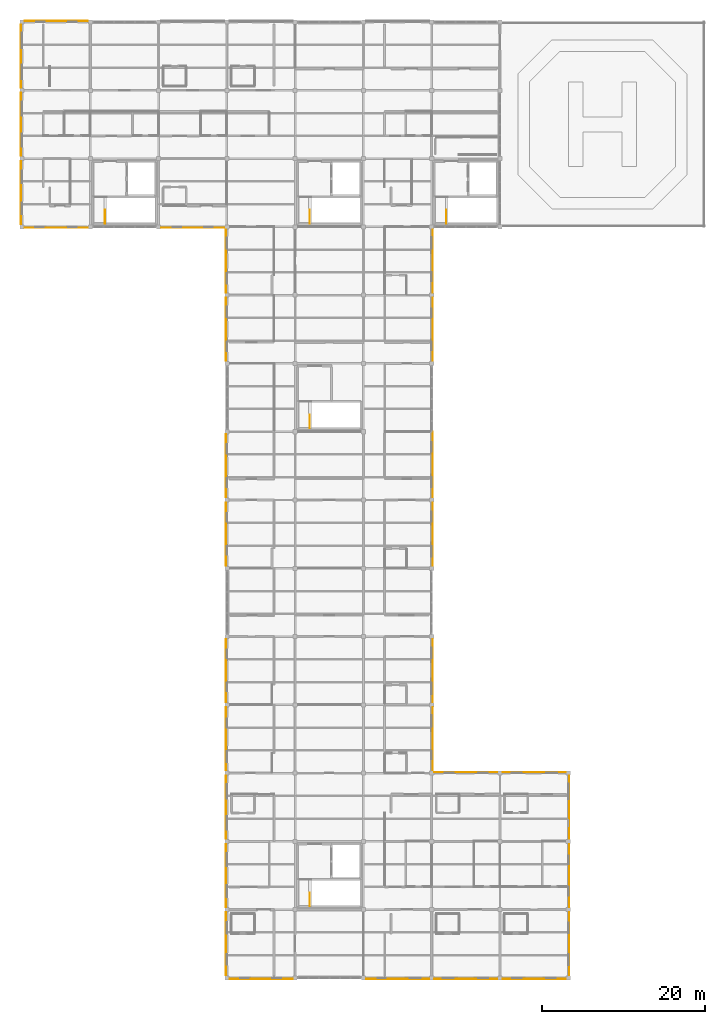
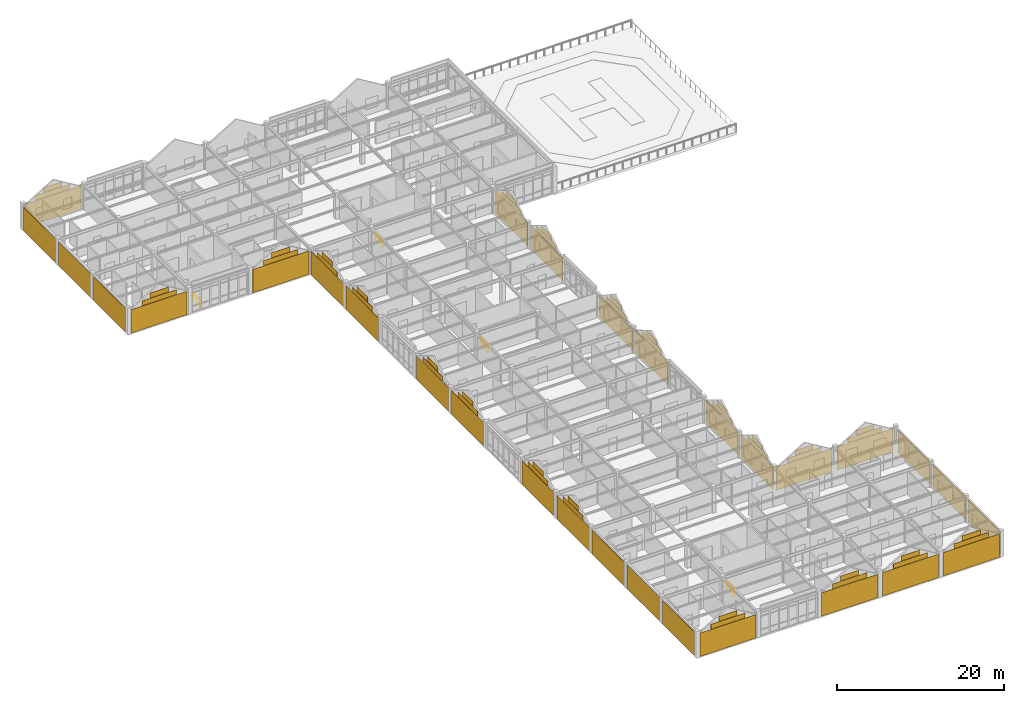
# One storey, part 44 of 45: 72 coverings, 5 railings.
"""IFC4 building model written with IfcOpenShell, lengths in metres."""

from ifc_helpers import new_model, si_unit, direction, frame, origin, origin_2d, place, context, subcontext, project, spatial, rectangle, circle, extrude, material, layer, layer_set, type_object, element, save


model = new_model("IFC4")

# Units and contexts
model_context = context("Model", 3, precision=1e-05, world=origin(), true_north=direction((0.0, 1.0)))
body_context = subcontext(model_context, "Body", "Model", "MODEL_VIEW")
ifc_project = project(units=[si_unit("LENGTHUNIT", "METRE"), si_unit("AREAUNIT", "SQUARE_METRE"), si_unit("VOLUMEUNIT", "CUBIC_METRE"), si_unit("PLANEANGLEUNIT", "RADIAN"), si_unit("MASSUNIT", "GRAM", prefix="KILO")], contexts=[model_context])

# Site, building, storey
site_placement = place(None, origin())
site = spatial("IfcSite", under=ifc_project, at=site_placement, CompositionType="ELEMENT")
building_placement = place(site_placement, origin())
building = spatial("IfcBuilding", under=site, at=building_placement, Name="Bramfleet General Hospital", CompositionType="ELEMENT")
storey_placement = place(building_placement, frame((0.0, 0.0, 30.300048828125)))
storey = spatial("IfcBuildingStorey", under=building, at=storey_placement, Name="L07", CompositionType="ELEMENT", Elevation=30.300048828125)

# Coverings
ifc_material_1 = material(Name="Ventilated European larch timber cladding", Category="wood")
ifc_layer = layer(ifc_material_1, 0.028076171875, Name="COV-WOOD-CLAD")
ifc_layer_set = layer_set([ifc_layer], Name="Ventilated European larch timber cladding")
covering_type = type_object("IfcCoveringType", Name="COV-WOOD-CLAD", PredefinedType="CLADDING", material=ifc_layer_set)
covering_1_placement = place(storey_placement, frame((92.285888671875, 54.60009765625, -0.01025390625), z_axis=(0.0, 0.0, 1.0), x_axis=(0.0, 1.0, 0.0)))
element("IfcCovering", 1, at=covering_1_placement, inside=storey, type_object=covering_type, Name="L07 Patient House Timber Cladding 1", PredefinedType="CLADDING", context=body_context, shape_type="SweptSolid", body=[
    extrude(rectangle(XDim=7.75, YDim=0.028076171875, at=origin_2d()), origin(), (0.0, 0.0, 1.0), 3.429931640625),
])
covering_2_placement = place(storey_placement, frame((92.285888671875, 54.60009765625, 3.466796875), z_axis=(0.0, 0.0, 1.0), x_axis=(0.0, 1.0, 0.0)))
element("IfcCovering", 2, at=covering_2_placement, inside=storey, type_object=covering_type, Name="L07 Patient House Gable Timber Cladding 2", PredefinedType="CLADDING", context=body_context, shape_type="SweptSolid", body=[
    extrude(rectangle(XDim=4.742919921875, YDim=0.028076171875, at=origin_2d()), origin(), (0.0, 0.0, 1.0), 0.7021484375),
])
covering_3_placement = place(storey_placement, frame((92.285888671875, 54.60009765625, 4.215576171875), z_axis=(0.0, 0.0, 1.0), x_axis=(0.0, 1.0, 0.0)))
element("IfcCovering", 3, at=covering_3_placement, inside=storey, type_object=covering_type, Name="L07 Patient House Gable Timber Cladding 3", PredefinedType="CLADDING", context=body_context, shape_type="SweptSolid", body=[
    extrude(rectangle(XDim=2.510986328125, YDim=0.028076171875, at=origin_2d()), origin(), (0.0, 0.0, 1.0), 0.7021484375),
])
covering_4_placement = place(storey_placement, frame((92.285888671875, 63.0, -0.01025390625), z_axis=(0.0, 0.0, 1.0), x_axis=(0.0, 1.0, 0.0)))
element("IfcCovering", 4, at=covering_4_placement, inside=storey, type_object=covering_type, Name="L07 Patient House Timber Cladding 4", PredefinedType="CLADDING", context=body_context, shape_type="SweptSolid", body=[
    extrude(rectangle(XDim=7.75, YDim=0.028076171875, at=origin_2d()), origin(), (0.0, 0.0, 1.0), 3.429931640625),
])
covering_5_placement = place(storey_placement, frame((92.285888671875, 63.0, 3.466796875), z_axis=(0.0, 0.0, 1.0), x_axis=(0.0, 1.0, 0.0)))
element("IfcCovering", 5, at=covering_5_placement, inside=storey, type_object=covering_type, Name="L07 Patient House Gable Timber Cladding 5", PredefinedType="CLADDING", context=body_context, shape_type="SweptSolid", body=[
    extrude(rectangle(XDim=4.742919921875, YDim=0.028076171875, at=origin_2d()), origin(), (0.0, 0.0, 1.0), 0.7021484375),
])
covering_6_placement = place(storey_placement, frame((92.285888671875, 63.0, 4.215576171875), z_axis=(0.0, 0.0, 1.0), x_axis=(0.0, 1.0, 0.0)))
element("IfcCovering", 6, at=covering_6_placement, inside=storey, type_object=covering_type, Name="L07 Patient House Gable Timber Cladding 6", PredefinedType="CLADDING", context=body_context, shape_type="SweptSolid", body=[
    extrude(rectangle(XDim=2.510986328125, YDim=0.028076171875, at=origin_2d()), origin(), (0.0, 0.0, 1.0), 0.7021484375),
])
covering_7_placement = place(storey_placement, frame((92.285888671875, 79.800048828125, -0.01025390625), z_axis=(0.0, 0.0, 1.0), x_axis=(0.0, 1.0, 0.0)))
element("IfcCovering", 7, at=covering_7_placement, inside=storey, type_object=covering_type, Name="L07 Patient House Timber Cladding 7", PredefinedType="CLADDING", context=body_context, shape_type="SweptSolid", body=[
    extrude(rectangle(XDim=7.75, YDim=0.028076171875, at=origin_2d()), origin(), (0.0, 0.0, 1.0), 3.429931640625),
])
covering_8_placement = place(storey_placement, frame((92.285888671875, 79.800048828125, 3.466796875), z_axis=(0.0, 0.0, 1.0), x_axis=(0.0, 1.0, 0.0)))
element("IfcCovering", 8, at=covering_8_placement, inside=storey, type_object=covering_type, Name="L07 Patient House Gable Timber Cladding 8", PredefinedType="CLADDING", context=body_context, shape_type="SweptSolid", body=[
    extrude(rectangle(XDim=4.742919921875, YDim=0.028076171875, at=origin_2d()), origin(), (0.0, 0.0, 1.0), 0.7021484375),
])
covering_9_placement = place(storey_placement, frame((92.285888671875, 79.800048828125, 4.215576171875), z_axis=(0.0, 0.0, 1.0), x_axis=(0.0, 1.0, 0.0)))
element("IfcCovering", 9, at=covering_9_placement, inside=storey, type_object=covering_type, Name="L07 Patient House Gable Timber Cladding 9", PredefinedType="CLADDING", context=body_context, shape_type="SweptSolid", body=[
    extrude(rectangle(XDim=2.510986328125, YDim=0.028076171875, at=origin_2d()), origin(), (0.0, 0.0, 1.0), 0.7021484375),
])
covering_10_placement = place(storey_placement, frame((92.285888671875, 88.199951171875, -0.01025390625), z_axis=(0.0, 0.0, 1.0), x_axis=(0.0, 1.0, 0.0)))
element("IfcCovering", 10, at=covering_10_placement, inside=storey, type_object=covering_type, Name="L07 Patient House Timber Cladding 10", PredefinedType="CLADDING", context=body_context, shape_type="SweptSolid", body=[
    extrude(rectangle(XDim=7.75, YDim=0.028076171875, at=origin_2d()), origin(), (0.0, 0.0, 1.0), 3.429931640625),
])
covering_11_placement = place(storey_placement, frame((92.285888671875, 88.199951171875, 3.466796875), z_axis=(0.0, 0.0, 1.0), x_axis=(0.0, 1.0, 0.0)))
element("IfcCovering", 11, at=covering_11_placement, inside=storey, type_object=covering_type, Name="L07 Patient House Gable Timber Cladding 11", PredefinedType="CLADDING", context=body_context, shape_type="SweptSolid", body=[
    extrude(rectangle(XDim=4.742919921875, YDim=0.028076171875, at=origin_2d()), origin(), (0.0, 0.0, 1.0), 0.7021484375),
])
covering_12_placement = place(storey_placement, frame((92.285888671875, 88.199951171875, 4.215576171875), z_axis=(0.0, 0.0, 1.0), x_axis=(0.0, 1.0, 0.0)))
element("IfcCovering", 12, at=covering_12_placement, inside=storey, type_object=covering_type, Name="L07 Patient House Gable Timber Cladding 12", PredefinedType="CLADDING", context=body_context, shape_type="SweptSolid", body=[
    extrude(rectangle(XDim=2.510986328125, YDim=0.028076171875, at=origin_2d()), origin(), (0.0, 0.0, 1.0), 0.7021484375),
])
covering_13_placement = place(storey_placement, frame((88.199951171875, 92.285888671875, -0.009765625), z_axis=(0.0, 0.0, 1.0), x_axis=(-1.0, 0.0, 0.0)))
element("IfcCovering", 13, at=covering_13_placement, inside=storey, type_object=covering_type, Name="L07 Patient House Timber Cladding 13", PredefinedType="CLADDING", context=body_context, shape_type="SweptSolid", body=[
    extrude(rectangle(XDim=7.75, YDim=0.028076171875, at=origin_2d()), origin(), (0.0, 0.0, 1.0), 3.409912109375),
])
covering_14_placement = place(storey_placement, frame((88.199951171875, 92.285888671875, 3.447265625), z_axis=(0.0, 0.0, 1.0), x_axis=(-1.0, 0.0, 0.0)))
element("IfcCovering", 14, at=covering_14_placement, inside=storey, type_object=covering_type, Name="L07 Patient House Gable Timber Cladding 14", PredefinedType="CLADDING", context=body_context, shape_type="SweptSolid", body=[
    extrude(rectangle(XDim=4.742919921875, YDim=0.028076171875, at=origin_2d()), origin(), (0.0, 0.0, 1.0), 0.7080078125),
])
covering_15_placement = place(storey_placement, frame((88.199951171875, 92.285888671875, 4.20263671875), z_axis=(0.0, 0.0, 1.0), x_axis=(-1.0, 0.0, 0.0)))
element("IfcCovering", 15, at=covering_15_placement, inside=storey, type_object=covering_type, Name="L07 Patient House Gable Timber Cladding 15", PredefinedType="CLADDING", context=body_context, shape_type="SweptSolid", body=[
    extrude(rectangle(XDim=2.510986328125, YDim=0.028076171875, at=origin_2d()), origin(), (0.0, 0.0, 1.0), 0.7080078125),
])
covering_16_placement = place(storey_placement, frame((71.39990234375, 92.285888671875, -0.009765625), z_axis=(0.0, 0.0, 1.0), x_axis=(-1.0, 0.0, 0.0)))
element("IfcCovering", 16, at=covering_16_placement, inside=storey, type_object=covering_type, Name="L07 Patient House Timber Cladding 16", PredefinedType="CLADDING", context=body_context, shape_type="SweptSolid", body=[
    extrude(rectangle(XDim=7.75, YDim=0.028076171875, at=origin_2d()), origin(), (0.0, 0.0, 1.0), 3.409912109375),
])
covering_17_placement = place(storey_placement, frame((71.39990234375, 92.285888671875, 3.447265625), z_axis=(0.0, 0.0, 1.0), x_axis=(-1.0, 0.0, 0.0)))
element("IfcCovering", 17, at=covering_17_placement, inside=storey, type_object=covering_type, Name="L07 Patient House Gable Timber Cladding 17", PredefinedType="CLADDING", context=body_context, shape_type="SweptSolid", body=[
    extrude(rectangle(XDim=4.742919921875, YDim=0.028076171875, at=origin_2d()), origin(), (0.0, 0.0, 1.0), 0.7080078125),
])
covering_18_placement = place(storey_placement, frame((71.39990234375, 92.285888671875, 4.20263671875), z_axis=(0.0, 0.0, 1.0), x_axis=(-1.0, 0.0, 0.0)))
element("IfcCovering", 18, at=covering_18_placement, inside=storey, type_object=covering_type, Name="L07 Patient House Gable Timber Cladding 18", PredefinedType="CLADDING", context=body_context, shape_type="SweptSolid", body=[
    extrude(rectangle(XDim=2.510986328125, YDim=0.028076171875, at=origin_2d()), origin(), (0.0, 0.0, 1.0), 0.7080078125),
])
for number, where, z_axis, x_axis, name in (
    (19, (67.0859375, 96.60009765625, -0.01025390625), (0.0, 0.0, 1.0), (0.0, 1.0, 0.0), "L07 Patient House Timber Cladding 19"),
    (20, (67.0859375, 105.0, -0.01025390625), (0.0, 0.0, 1.0), (0.0, 1.0, 0.0), "L07 Patient House Timber Cladding 20"),
    (21, (67.0859375, 113.39990234375, -0.01025390625), (0.0, 0.0, 1.0), (0.0, 1.0, 0.0), "L07 Patient House Timber Cladding 21"),
):
    element("IfcCovering", number, at=place(storey_placement, frame(where, z_axis=z_axis, x_axis=x_axis)), inside=storey, type_object=covering_type, Name=name, PredefinedType="CLADDING", context=body_context, shape_type="SweptSolid", body=[
        extrude(rectangle(XDim=7.75, YDim=0.028076171875, at=origin_2d()), origin(), (0.0, 0.0, 1.0), 3.429931640625),
    ])
covering_19_placement = place(storey_placement, frame((71.39990234375, 117.714111328125, -0.009765625), z_axis=(0.0, 0.0, 1.0), x_axis=(1.0, 0.0, 0.0)))
element("IfcCovering", 22, at=covering_19_placement, inside=storey, type_object=covering_type, Name="L07 Patient House Timber Cladding 22", PredefinedType="CLADDING", context=body_context, shape_type="SweptSolid", body=[
    extrude(rectangle(XDim=7.75, YDim=0.028076171875, at=origin_2d()), origin(), (0.0, 0.0, 1.0), 3.409912109375),
])
covering_20_placement = place(storey_placement, frame((71.39990234375, 117.714111328125, 3.447265625), z_axis=(0.0, 0.0, 1.0), x_axis=(1.0, 0.0, 0.0)))
element("IfcCovering", 23, at=covering_20_placement, inside=storey, type_object=covering_type, Name="L07 Patient House Gable Timber Cladding 23", PredefinedType="CLADDING", context=body_context, shape_type="SweptSolid", body=[
    extrude(rectangle(XDim=4.742919921875, YDim=0.028076171875, at=origin_2d()), origin(), (0.0, 0.0, 1.0), 0.7080078125),
])
covering_21_placement = place(storey_placement, frame((71.39990234375, 117.714111328125, 4.20263671875), z_axis=(0.0, 0.0, 1.0), x_axis=(1.0, 0.0, 0.0)))
element("IfcCovering", 24, at=covering_21_placement, inside=storey, type_object=covering_type, Name="L07 Patient House Gable Timber Cladding 24", PredefinedType="CLADDING", context=body_context, shape_type="SweptSolid", body=[
    extrude(rectangle(XDim=2.510986328125, YDim=0.028076171875, at=origin_2d()), origin(), (0.0, 0.0, 1.0), 0.7080078125),
])
covering_22_placement = place(storey_placement, frame((117.714111328125, 88.199951171875, -0.01025390625), z_axis=(0.0, 0.0, 1.0), x_axis=(0.0, -1.0, 0.0)))
element("IfcCovering", 25, at=covering_22_placement, inside=storey, type_object=covering_type, Name="L07 Patient House Timber Cladding 34", PredefinedType="CLADDING", context=body_context, shape_type="SweptSolid", body=[
    extrude(rectangle(XDim=7.75, YDim=0.028076171875, at=origin_2d()), origin(), (0.0, 0.0, 1.0), 3.429931640625),
])
covering_23_placement = place(storey_placement, frame((117.714111328125, 88.199951171875, 3.466796875), z_axis=(0.0, 0.0, 1.0), x_axis=(0.0, -1.0, 0.0)))
element("IfcCovering", 26, at=covering_23_placement, inside=storey, type_object=covering_type, Name="L07 Patient House Gable Timber Cladding 35", PredefinedType="CLADDING", context=body_context, shape_type="SweptSolid", body=[
    extrude(rectangle(XDim=4.742919921875, YDim=0.028076171875, at=origin_2d()), origin(), (0.0, 0.0, 1.0), 0.7021484375),
])
covering_24_placement = place(storey_placement, frame((117.714111328125, 88.199951171875, 4.215576171875), z_axis=(0.0, 0.0, 1.0), x_axis=(0.0, -1.0, 0.0)))
element("IfcCovering", 27, at=covering_24_placement, inside=storey, type_object=covering_type, Name="L07 Patient House Gable Timber Cladding 36", PredefinedType="CLADDING", context=body_context, shape_type="SweptSolid", body=[
    extrude(rectangle(XDim=2.510986328125, YDim=0.028076171875, at=origin_2d()), origin(), (0.0, 0.0, 1.0), 0.7021484375),
])
covering_25_placement = place(storey_placement, frame((117.714111328125, 79.800048828125, -0.01025390625), z_axis=(0.0, 0.0, 1.0), x_axis=(0.0, -1.0, 0.0)))
element("IfcCovering", 28, at=covering_25_placement, inside=storey, type_object=covering_type, Name="L07 Patient House Timber Cladding 37", PredefinedType="CLADDING", context=body_context, shape_type="SweptSolid", body=[
    extrude(rectangle(XDim=7.75, YDim=0.028076171875, at=origin_2d()), origin(), (0.0, 0.0, 1.0), 3.429931640625),
])
covering_26_placement = place(storey_placement, frame((117.714111328125, 79.800048828125, 3.466796875), z_axis=(0.0, 0.0, 1.0), x_axis=(0.0, -1.0, 0.0)))
element("IfcCovering", 29, at=covering_26_placement, inside=storey, type_object=covering_type, Name="L07 Patient House Gable Timber Cladding 38", PredefinedType="CLADDING", context=body_context, shape_type="SweptSolid", body=[
    extrude(rectangle(XDim=4.742919921875, YDim=0.028076171875, at=origin_2d()), origin(), (0.0, 0.0, 1.0), 0.7021484375),
])
covering_27_placement = place(storey_placement, frame((117.714111328125, 79.800048828125, 4.215576171875), z_axis=(0.0, 0.0, 1.0), x_axis=(0.0, -1.0, 0.0)))
element("IfcCovering", 30, at=covering_27_placement, inside=storey, type_object=covering_type, Name="L07 Patient House Gable Timber Cladding 39", PredefinedType="CLADDING", context=body_context, shape_type="SweptSolid", body=[
    extrude(rectangle(XDim=2.510986328125, YDim=0.028076171875, at=origin_2d()), origin(), (0.0, 0.0, 1.0), 0.7021484375),
])
covering_28_placement = place(storey_placement, frame((117.714111328125, 63.16259765625, -0.009765625), z_axis=(0.0, 0.0, 1.0), x_axis=(0.0, -1.0, 0.0)))
element("IfcCovering", 31, at=covering_28_placement, inside=storey, type_object=covering_type, Name="L07 Patient House Timber Cladding 40", PredefinedType="CLADDING", context=body_context, shape_type="SweptSolid", body=[
    extrude(rectangle(XDim=8.074951171875, YDim=0.028076171875, at=origin_2d()), origin(), (0.0, 0.0, 1.0), 3.159912109375),
])
covering_29_placement = place(storey_placement, frame((117.714111328125, 63.16259765625, 3.203857421875), z_axis=(0.0, 0.0, 1.0), x_axis=(0.0, -1.0, 0.0)))
element("IfcCovering", 32, at=covering_29_placement, inside=storey, type_object=covering_type, Name="L07 Patient House Gable Timber Cladding 41", PredefinedType="CLADDING", context=body_context, shape_type="SweptSolid", body=[
    extrude(rectangle(XDim=4.94189453125, YDim=0.028076171875, at=origin_2d()), origin(), (0.0, 0.0, 1.0), 0.80908203125),
])
covering_30_placement = place(storey_placement, frame((117.714111328125, 63.16259765625, 4.06689453125), z_axis=(0.0, 0.0, 1.0), x_axis=(0.0, -1.0, 0.0)))
element("IfcCovering", 33, at=covering_30_placement, inside=storey, type_object=covering_type, Name="L07 Patient House Gable Timber Cladding 42", PredefinedType="CLADDING", context=body_context, shape_type="SweptSolid", body=[
    extrude(rectangle(XDim=2.6162109375, YDim=0.028076171875, at=origin_2d()), origin(), (0.0, 0.0, 1.0), 0.80908203125),
])
covering_31_placement = place(storey_placement, frame((117.714111328125, 54.60009765625, -0.01025390625), z_axis=(0.0, 0.0, 1.0), x_axis=(0.0, -1.0, 0.0)))
element("IfcCovering", 34, at=covering_31_placement, inside=storey, type_object=covering_type, Name="L07 Patient House Timber Cladding 43", PredefinedType="CLADDING", context=body_context, shape_type="SweptSolid", body=[
    extrude(rectangle(XDim=7.75, YDim=0.028076171875, at=origin_2d()), origin(), (0.0, 0.0, 1.0), 3.429931640625),
])
covering_32_placement = place(storey_placement, frame((117.714111328125, 54.60009765625, 3.466796875), z_axis=(0.0, 0.0, 1.0), x_axis=(0.0, -1.0, 0.0)))
element("IfcCovering", 35, at=covering_32_placement, inside=storey, type_object=covering_type, Name="L07 Patient House Gable Timber Cladding 44", PredefinedType="CLADDING", context=body_context, shape_type="SweptSolid", body=[
    extrude(rectangle(XDim=4.742919921875, YDim=0.028076171875, at=origin_2d()), origin(), (0.0, 0.0, 1.0), 0.7021484375),
])
covering_33_placement = place(storey_placement, frame((117.714111328125, 54.60009765625, 4.215576171875), z_axis=(0.0, 0.0, 1.0), x_axis=(0.0, -1.0, 0.0)))
element("IfcCovering", 36, at=covering_33_placement, inside=storey, type_object=covering_type, Name="L07 Patient House Gable Timber Cladding 45", PredefinedType="CLADDING", context=body_context, shape_type="SweptSolid", body=[
    extrude(rectangle(XDim=2.510986328125, YDim=0.028076171875, at=origin_2d()), origin(), (0.0, 0.0, 1.0), 0.7021484375),
])
covering_34_placement = place(storey_placement, frame((117.714111328125, 37.800048828125, -0.01025390625), z_axis=(0.0, 0.0, 1.0), x_axis=(0.0, -1.0, 0.0)))
element("IfcCovering", 37, at=covering_34_placement, inside=storey, type_object=covering_type, Name="L07 Patient House Timber Cladding 46", PredefinedType="CLADDING", context=body_context, shape_type="SweptSolid", body=[
    extrude(rectangle(XDim=7.75, YDim=0.028076171875, at=origin_2d()), origin(), (0.0, 0.0, 1.0), 3.429931640625),
])
covering_35_placement = place(storey_placement, frame((117.714111328125, 37.800048828125, 3.466796875), z_axis=(0.0, 0.0, 1.0), x_axis=(0.0, -1.0, 0.0)))
element("IfcCovering", 38, at=covering_35_placement, inside=storey, type_object=covering_type, Name="L07 Patient House Gable Timber Cladding 47", PredefinedType="CLADDING", context=body_context, shape_type="SweptSolid", body=[
    extrude(rectangle(XDim=4.742919921875, YDim=0.028076171875, at=origin_2d()), origin(), (0.0, 0.0, 1.0), 0.7021484375),
])
covering_36_placement = place(storey_placement, frame((117.714111328125, 37.800048828125, 4.215576171875), z_axis=(0.0, 0.0, 1.0), x_axis=(0.0, -1.0, 0.0)))
element("IfcCovering", 39, at=covering_36_placement, inside=storey, type_object=covering_type, Name="L07 Patient House Gable Timber Cladding 48", PredefinedType="CLADDING", context=body_context, shape_type="SweptSolid", body=[
    extrude(rectangle(XDim=2.510986328125, YDim=0.028076171875, at=origin_2d()), origin(), (0.0, 0.0, 1.0), 0.7021484375),
])
covering_37_placement = place(storey_placement, frame((117.714111328125, 29.39990234375, -0.01025390625), z_axis=(0.0, 0.0, 1.0), x_axis=(0.0, -1.0, 0.0)))
element("IfcCovering", 40, at=covering_37_placement, inside=storey, type_object=covering_type, Name="L07 Patient House Timber Cladding 49", PredefinedType="CLADDING", context=body_context, shape_type="SweptSolid", body=[
    extrude(rectangle(XDim=7.75, YDim=0.028076171875, at=origin_2d()), origin(), (0.0, 0.0, 1.0), 3.429931640625),
])
covering_38_placement = place(storey_placement, frame((117.714111328125, 29.39990234375, 3.466796875), z_axis=(0.0, 0.0, 1.0), x_axis=(0.0, -1.0, 0.0)))
element("IfcCovering", 41, at=covering_38_placement, inside=storey, type_object=covering_type, Name="L07 Patient House Gable Timber Cladding 50", PredefinedType="CLADDING", context=body_context, shape_type="SweptSolid", body=[
    extrude(rectangle(XDim=4.742919921875, YDim=0.028076171875, at=origin_2d()), origin(), (0.0, 0.0, 1.0), 0.7021484375),
])
covering_39_placement = place(storey_placement, frame((117.714111328125, 29.39990234375, 4.215576171875), z_axis=(0.0, 0.0, 1.0), x_axis=(0.0, -1.0, 0.0)))
element("IfcCovering", 42, at=covering_39_placement, inside=storey, type_object=covering_type, Name="L07 Patient House Gable Timber Cladding 51", PredefinedType="CLADDING", context=body_context, shape_type="SweptSolid", body=[
    extrude(rectangle(XDim=2.510986328125, YDim=0.028076171875, at=origin_2d()), origin(), (0.0, 0.0, 1.0), 0.7021484375),
])
covering_40_placement = place(storey_placement, frame((121.800048828125, 25.31396484375, -0.009765625), z_axis=(0.0, 0.0, 1.0), x_axis=(1.0, 0.0, 0.0)))
element("IfcCovering", 43, at=covering_40_placement, inside=storey, type_object=covering_type, Name="L07 Patient House Timber Cladding 52", PredefinedType="CLADDING", context=body_context, shape_type="SweptSolid", body=[
    extrude(rectangle(XDim=7.75, YDim=0.028076171875, at=origin_2d()), origin(), (0.0, 0.0, 1.0), 3.409912109375),
])
covering_41_placement = place(storey_placement, frame((121.800048828125, 25.31396484375, 3.447265625), z_axis=(0.0, 0.0, 1.0), x_axis=(1.0, 0.0, 0.0)))
element("IfcCovering", 44, at=covering_41_placement, inside=storey, type_object=covering_type, Name="L07 Patient House Gable Timber Cladding 53", PredefinedType="CLADDING", context=body_context, shape_type="SweptSolid", body=[
    extrude(rectangle(XDim=4.742919921875, YDim=0.028076171875, at=origin_2d()), origin(), (0.0, 0.0, 1.0), 0.7080078125),
])
covering_42_placement = place(storey_placement, frame((121.800048828125, 25.31396484375, 4.20263671875), z_axis=(0.0, 0.0, 1.0), x_axis=(1.0, 0.0, 0.0)))
element("IfcCovering", 45, at=covering_42_placement, inside=storey, type_object=covering_type, Name="L07 Patient House Gable Timber Cladding 54", PredefinedType="CLADDING", context=body_context, shape_type="SweptSolid", body=[
    extrude(rectangle(XDim=2.510986328125, YDim=0.028076171875, at=origin_2d()), origin(), (0.0, 0.0, 1.0), 0.7080078125),
])
covering_43_placement = place(storey_placement, frame((130.199951171875, 25.31396484375, -0.009765625), z_axis=(0.0, 0.0, 1.0), x_axis=(1.0, 0.0, 0.0)))
element("IfcCovering", 46, at=covering_43_placement, inside=storey, type_object=covering_type, Name="L07 Patient House Timber Cladding 55", PredefinedType="CLADDING", context=body_context, shape_type="SweptSolid", body=[
    extrude(rectangle(XDim=7.75, YDim=0.028076171875, at=origin_2d()), origin(), (0.0, 0.0, 1.0), 3.409912109375),
])
covering_44_placement = place(storey_placement, frame((130.199951171875, 25.31396484375, 3.447265625), z_axis=(0.0, 0.0, 1.0), x_axis=(1.0, 0.0, 0.0)))
element("IfcCovering", 47, at=covering_44_placement, inside=storey, type_object=covering_type, Name="L07 Patient House Gable Timber Cladding 56", PredefinedType="CLADDING", context=body_context, shape_type="SweptSolid", body=[
    extrude(rectangle(XDim=4.742919921875, YDim=0.028076171875, at=origin_2d()), origin(), (0.0, 0.0, 1.0), 0.7080078125),
])
covering_45_placement = place(storey_placement, frame((130.199951171875, 25.31396484375, 4.20263671875), z_axis=(0.0, 0.0, 1.0), x_axis=(1.0, 0.0, 0.0)))
element("IfcCovering", 48, at=covering_45_placement, inside=storey, type_object=covering_type, Name="L07 Patient House Gable Timber Cladding 57", PredefinedType="CLADDING", context=body_context, shape_type="SweptSolid", body=[
    extrude(rectangle(XDim=2.510986328125, YDim=0.028076171875, at=origin_2d()), origin(), (0.0, 0.0, 1.0), 0.7080078125),
])
for number, where, z_axis, x_axis, name in (
    (49, (134.513916015625, 21.0, -0.01025390625), (0.0, 0.0, 1.0), (0.0, -1.0, 0.0), "L07 Patient House Timber Cladding 58"),
    (50, (134.513916015625, 12.60009765625, -0.01025390625), (0.0, 0.0, 1.0), (0.0, -1.0, 0.0), "L07 Patient House Timber Cladding 59"),
    (51, (134.513916015625, 4.199951171875, -0.01025390625), (0.0, 0.0, 1.0), (0.0, -1.0, 0.0), "L07 Patient House Timber Cladding 60"),
):
    element("IfcCovering", number, at=place(storey_placement, frame(where, z_axis=z_axis, x_axis=x_axis)), inside=storey, type_object=covering_type, Name=name, PredefinedType="CLADDING", context=body_context, shape_type="SweptSolid", body=[
        extrude(rectangle(XDim=7.75, YDim=0.028076171875, at=origin_2d()), origin(), (0.0, 0.0, 1.0), 3.429931640625),
    ])
covering_46_placement = place(storey_placement, frame((130.199951171875, -0.114013671875, -0.009765625), z_axis=(0.0, 0.0, 1.0), x_axis=(-1.0, 0.0, 0.0)))
element("IfcCovering", 52, at=covering_46_placement, inside=storey, type_object=covering_type, Name="L07 Patient House Timber Cladding 61", PredefinedType="CLADDING", context=body_context, shape_type="SweptSolid", body=[
    extrude(rectangle(XDim=7.75, YDim=0.028076171875, at=origin_2d()), origin(), (0.0, 0.0, 1.0), 3.409912109375),
])
covering_47_placement = place(storey_placement, frame((130.199951171875, -0.114013671875, 3.447265625), z_axis=(0.0, 0.0, 1.0), x_axis=(-1.0, 0.0, 0.0)))
element("IfcCovering", 53, at=covering_47_placement, inside=storey, type_object=covering_type, Name="L07 Patient House Gable Timber Cladding 62", PredefinedType="CLADDING", context=body_context, shape_type="SweptSolid", body=[
    extrude(rectangle(XDim=4.742919921875, YDim=0.028076171875, at=origin_2d()), origin(), (0.0, 0.0, 1.0), 0.7080078125),
])
covering_48_placement = place(storey_placement, frame((130.199951171875, -0.114013671875, 4.20263671875), z_axis=(0.0, 0.0, 1.0), x_axis=(-1.0, 0.0, 0.0)))
element("IfcCovering", 54, at=covering_48_placement, inside=storey, type_object=covering_type, Name="L07 Patient House Gable Timber Cladding 63", PredefinedType="CLADDING", context=body_context, shape_type="SweptSolid", body=[
    extrude(rectangle(XDim=2.510986328125, YDim=0.028076171875, at=origin_2d()), origin(), (0.0, 0.0, 1.0), 0.7080078125),
])
covering_49_placement = place(storey_placement, frame((121.800048828125, -0.114013671875, -0.009765625), z_axis=(0.0, 0.0, 1.0), x_axis=(-1.0, 0.0, 0.0)))
element("IfcCovering", 55, at=covering_49_placement, inside=storey, type_object=covering_type, Name="L07 Patient House Timber Cladding 64", PredefinedType="CLADDING", context=body_context, shape_type="SweptSolid", body=[
    extrude(rectangle(XDim=7.75, YDim=0.028076171875, at=origin_2d()), origin(), (0.0, 0.0, 1.0), 3.409912109375),
])
covering_50_placement = place(storey_placement, frame((121.800048828125, -0.114013671875, 3.447265625), z_axis=(0.0, 0.0, 1.0), x_axis=(-1.0, 0.0, 0.0)))
element("IfcCovering", 56, at=covering_50_placement, inside=storey, type_object=covering_type, Name="L07 Patient House Gable Timber Cladding 65", PredefinedType="CLADDING", context=body_context, shape_type="SweptSolid", body=[
    extrude(rectangle(XDim=4.742919921875, YDim=0.028076171875, at=origin_2d()), origin(), (0.0, 0.0, 1.0), 0.7080078125),
])
covering_51_placement = place(storey_placement, frame((121.800048828125, -0.114013671875, 4.20263671875), z_axis=(0.0, 0.0, 1.0), x_axis=(-1.0, 0.0, 0.0)))
element("IfcCovering", 57, at=covering_51_placement, inside=storey, type_object=covering_type, Name="L07 Patient House Gable Timber Cladding 66", PredefinedType="CLADDING", context=body_context, shape_type="SweptSolid", body=[
    extrude(rectangle(XDim=2.510986328125, YDim=0.028076171875, at=origin_2d()), origin(), (0.0, 0.0, 1.0), 0.7080078125),
])
covering_52_placement = place(storey_placement, frame((113.39990234375, -0.114013671875, -0.009765625), z_axis=(0.0, 0.0, 1.0), x_axis=(-1.0, 0.0, 0.0)))
element("IfcCovering", 58, at=covering_52_placement, inside=storey, type_object=covering_type, Name="L07 Patient House Timber Cladding 67", PredefinedType="CLADDING", context=body_context, shape_type="SweptSolid", body=[
    extrude(rectangle(XDim=7.75, YDim=0.028076171875, at=origin_2d()), origin(), (0.0, 0.0, 1.0), 3.409912109375),
])
covering_53_placement = place(storey_placement, frame((113.39990234375, -0.114013671875, 3.447265625), z_axis=(0.0, 0.0, 1.0), x_axis=(-1.0, 0.0, 0.0)))
element("IfcCovering", 59, at=covering_53_placement, inside=storey, type_object=covering_type, Name="L07 Patient House Gable Timber Cladding 68", PredefinedType="CLADDING", context=body_context, shape_type="SweptSolid", body=[
    extrude(rectangle(XDim=4.742919921875, YDim=0.028076171875, at=origin_2d()), origin(), (0.0, 0.0, 1.0), 0.7080078125),
])
covering_54_placement = place(storey_placement, frame((113.39990234375, -0.114013671875, 4.20263671875), z_axis=(0.0, 0.0, 1.0), x_axis=(-1.0, 0.0, 0.0)))
element("IfcCovering", 60, at=covering_54_placement, inside=storey, type_object=covering_type, Name="L07 Patient House Gable Timber Cladding 69", PredefinedType="CLADDING", context=body_context, shape_type="SweptSolid", body=[
    extrude(rectangle(XDim=2.510986328125, YDim=0.028076171875, at=origin_2d()), origin(), (0.0, 0.0, 1.0), 0.7080078125),
])
covering_55_placement = place(storey_placement, frame((96.60009765625, -0.114013671875, -0.009765625), z_axis=(0.0, 0.0, 1.0), x_axis=(-1.0, 0.0, 0.0)))
element("IfcCovering", 61, at=covering_55_placement, inside=storey, type_object=covering_type, Name="L07 Patient House Timber Cladding 70", PredefinedType="CLADDING", context=body_context, shape_type="SweptSolid", body=[
    extrude(rectangle(XDim=7.75, YDim=0.028076171875, at=origin_2d()), origin(), (0.0, 0.0, 1.0), 3.409912109375),
])
covering_56_placement = place(storey_placement, frame((96.60009765625, -0.114013671875, 3.447265625), z_axis=(0.0, 0.0, 1.0), x_axis=(-1.0, 0.0, 0.0)))
element("IfcCovering", 62, at=covering_56_placement, inside=storey, type_object=covering_type, Name="L07 Patient House Gable Timber Cladding 71", PredefinedType="CLADDING", context=body_context, shape_type="SweptSolid", body=[
    extrude(rectangle(XDim=4.742919921875, YDim=0.028076171875, at=origin_2d()), origin(), (0.0, 0.0, 1.0), 0.7080078125),
])
covering_57_placement = place(storey_placement, frame((96.60009765625, -0.114013671875, 4.20263671875), z_axis=(0.0, 0.0, 1.0), x_axis=(-1.0, 0.0, 0.0)))
element("IfcCovering", 63, at=covering_57_placement, inside=storey, type_object=covering_type, Name="L07 Patient House Gable Timber Cladding 72", PredefinedType="CLADDING", context=body_context, shape_type="SweptSolid", body=[
    extrude(rectangle(XDim=2.510986328125, YDim=0.028076171875, at=origin_2d()), origin(), (0.0, 0.0, 1.0), 0.7080078125),
])
for number, where, z_axis, x_axis, name in (
    (64, (92.285888671875, 4.199951171875, -0.01025390625), (0.0, 0.0, 1.0), (0.0, 1.0, 0.0), "L07 Patient House Timber Cladding 73"),
    (65, (92.285888671875, 12.60009765625, -0.01025390625), (0.0, 0.0, 1.0), (0.0, 1.0, 0.0), "L07 Patient House Timber Cladding 74"),
    (66, (92.285888671875, 21.0, -0.01025390625), (0.0, 0.0, 1.0), (0.0, 1.0, 0.0), "L07 Patient House Timber Cladding 75"),
    (67, (92.285888671875, 29.39990234375, -0.01025390625), (0.0, 0.0, 1.0), (0.0, 1.0, 0.0), "L07 Patient House Timber Cladding 76"),
):
    element("IfcCovering", number, at=place(storey_placement, frame(where, z_axis=z_axis, x_axis=x_axis)), inside=storey, type_object=covering_type, Name=name, PredefinedType="CLADDING", context=body_context, shape_type="SweptSolid", body=[
        extrude(rectangle(XDim=7.75, YDim=0.028076171875, at=origin_2d()), origin(), (0.0, 0.0, 1.0), 3.429931640625),
    ])
covering_58_placement = place(storey_placement, frame((92.285888671875, 29.39990234375, 3.466796875), z_axis=(0.0, 0.0, 1.0), x_axis=(0.0, 1.0, 0.0)))
element("IfcCovering", 68, at=covering_58_placement, inside=storey, type_object=covering_type, Name="L07 Patient House Gable Timber Cladding 77", PredefinedType="CLADDING", context=body_context, shape_type="SweptSolid", body=[
    extrude(rectangle(XDim=4.742919921875, YDim=0.028076171875, at=origin_2d()), origin(), (0.0, 0.0, 1.0), 0.7021484375),
])
covering_59_placement = place(storey_placement, frame((92.285888671875, 29.39990234375, 4.215576171875), z_axis=(0.0, 0.0, 1.0), x_axis=(0.0, 1.0, 0.0)))
element("IfcCovering", 69, at=covering_59_placement, inside=storey, type_object=covering_type, Name="L07 Patient House Gable Timber Cladding 78", PredefinedType="CLADDING", context=body_context, shape_type="SweptSolid", body=[
    extrude(rectangle(XDim=2.510986328125, YDim=0.028076171875, at=origin_2d()), origin(), (0.0, 0.0, 1.0), 0.7021484375),
])
covering_60_placement = place(storey_placement, frame((92.285888671875, 37.800048828125, -0.01025390625), z_axis=(0.0, 0.0, 1.0), x_axis=(0.0, 1.0, 0.0)))
element("IfcCovering", 70, at=covering_60_placement, inside=storey, type_object=covering_type, Name="L07 Patient House Timber Cladding 79", PredefinedType="CLADDING", context=body_context, shape_type="SweptSolid", body=[
    extrude(rectangle(XDim=7.75, YDim=0.028076171875, at=origin_2d()), origin(), (0.0, 0.0, 1.0), 3.429931640625),
])
covering_61_placement = place(storey_placement, frame((92.285888671875, 37.800048828125, 3.466796875), z_axis=(0.0, 0.0, 1.0), x_axis=(0.0, 1.0, 0.0)))
element("IfcCovering", 71, at=covering_61_placement, inside=storey, type_object=covering_type, Name="L07 Patient House Gable Timber Cladding 80", PredefinedType="CLADDING", context=body_context, shape_type="SweptSolid", body=[
    extrude(rectangle(XDim=4.742919921875, YDim=0.028076171875, at=origin_2d()), origin(), (0.0, 0.0, 1.0), 0.7021484375),
])
covering_62_placement = place(storey_placement, frame((92.285888671875, 37.800048828125, 4.215576171875), z_axis=(0.0, 0.0, 1.0), x_axis=(0.0, 1.0, 0.0)))
element("IfcCovering", 72, at=covering_62_placement, inside=storey, type_object=covering_type, Name="L07 Patient House Gable Timber Cladding 81", PredefinedType="CLADDING", context=body_context, shape_type="SweptSolid", body=[
    extrude(rectangle(XDim=2.510986328125, YDim=0.028076171875, at=origin_2d()), origin(), (0.0, 0.0, 1.0), 0.7021484375),
])

# Railings
ifc_material_2 = material(Name="Powder-coated steel stair balustrade", Category="steel")
railing_type = type_object("IfcRailingType", Name="RAIL-ST-GUARD", PredefinedType="GUARDRAIL", material=ifc_material_2)
for number, where, name in (
    (73, (102.590087890625, 8.820068359375, 0.0), "L07 ST-C3 top well guard 1"),
    (74, (102.590087890625, 92.820068359375, 0.0), "L07 ST-C4 top well guard 1"),
    (75, (77.389892578125, 92.820068359375, 0.0), "L07 ST-C5 top well guard 1"),
    (76, (119.389892578125, 92.820068359375, 0.0), "L07 ST-C6 top well guard 1"),
    (77, (102.590087890625, 67.6201171875, 0.0), "L07 ST-C11 top well guard 1"),
):
    element("IfcRailing", number, at=place(storey_placement, frame(where)), inside=storey, type_object=railing_type, Name=name, PredefinedType="GUARDRAIL", context=body_context, shape_type="SweptSolid", body=[
        extrude(circle(Radius=0.02392578125, at=origin_2d()), frame((0.0, 0.0, 1.076171875), z_axis=(0.0, 1.0, 0.0), x_axis=(-1.0, 0.0, 0.0)), (0.0, 0.0, 1.0), 1.659912109375),
        extrude(circle(Radius=0.02099609375, at=origin_2d()), origin(), (0.0, 0.0, 1.0), 1.052001953125),
        extrude(circle(Radius=0.02099609375, at=origin_2d()), frame((0.0, 0.830078125, 0.0)), (0.0, 0.0, 1.0), 1.052001953125),
        extrude(circle(Radius=0.02099609375, at=origin_2d()), frame((0.0, 1.659912109375, 0.0)), (0.0, 0.0, 1.0), 1.052001953125),
    ])

save(model, "model.ifc")
